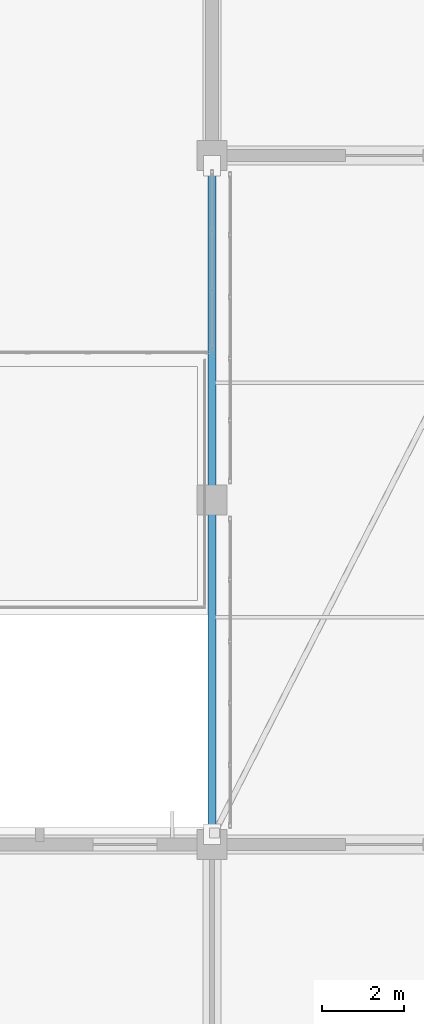
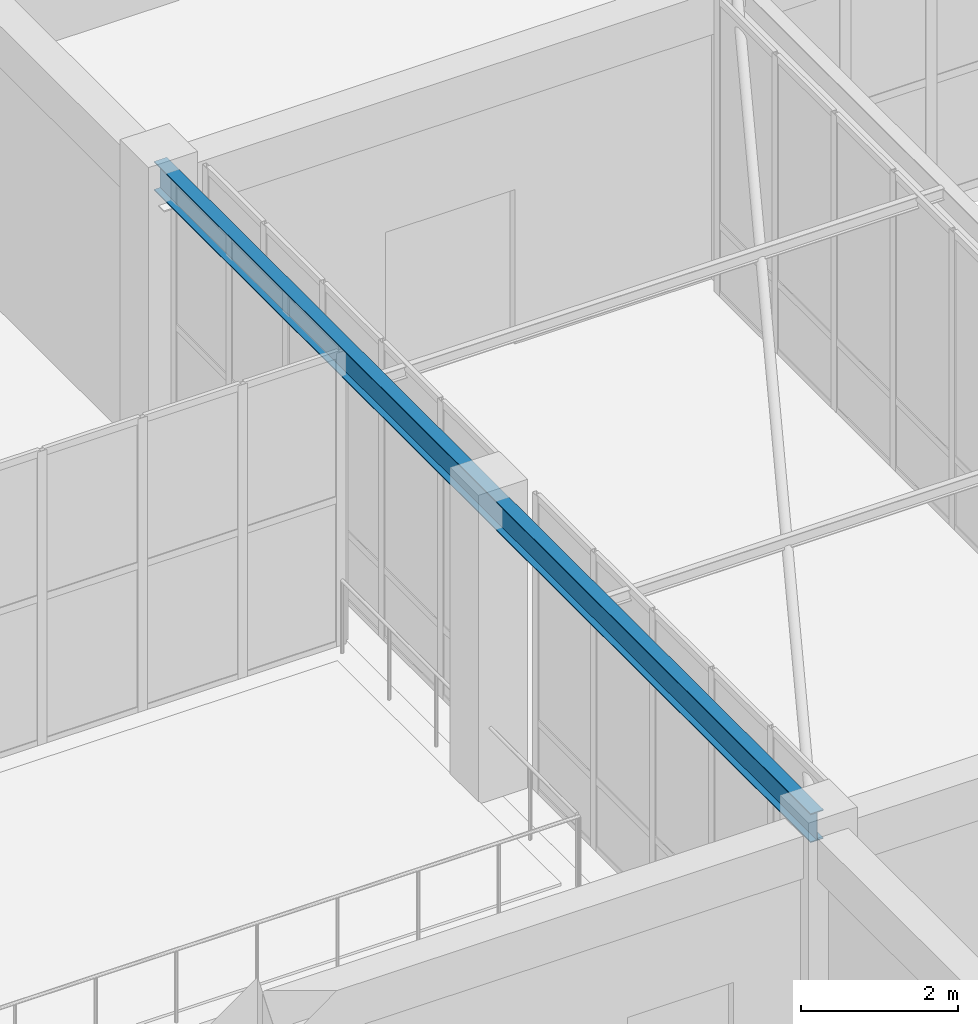
# One storey, part 39 of 158: 1 beam.
"""IFC4 building model written with IfcOpenShell, lengths in metres."""

from ifc_helpers import new_model, si_unit, direction, frame, origin, origin_2d, place, context, subcontext, project, spatial, i_section, extrude, material, material_profile, profile_set, type_object, element, save


model = new_model("IFC4")

# Units and contexts
model_context = context("Model", 3, precision=1e-05, world=origin(), true_north=direction((0.0, 1.0)))
body_context = subcontext(model_context, "Body", "Model", "MODEL_VIEW")
ifc_project = project(units=[si_unit("LENGTHUNIT", "METRE"), si_unit("AREAUNIT", "SQUARE_METRE"), si_unit("VOLUMEUNIT", "CUBIC_METRE"), si_unit("PLANEANGLEUNIT", "RADIAN"), si_unit("MASSUNIT", "GRAM", prefix="KILO")], contexts=[model_context])

# Site, building, storey
site_placement = place(None, origin())
site = spatial("IfcSite", under=ifc_project, at=site_placement, CompositionType="ELEMENT")
building_placement = place(site_placement, origin())
building = spatial("IfcBuilding", under=site, at=building_placement, Name="Trelvath General Hospital", CompositionType="ELEMENT")
storey_placement = place(building_placement, frame((0.0, 0.0, 8.10009765625)))
storey = spatial("IfcBuildingStorey", under=building, at=storey_placement, Name="L02", CompositionType="ELEMENT", Elevation=8.10009765625)

# Beam
ifc_material = material(Name="Steel S355", Category="steel")
ifc_material_profile = material_profile(ifc_material, i_section(OverallWidth=0.18994140625, OverallDepth=0.449951171875, WebThickness=0.009521484375, FlangeThickness=0.0146484375, at=origin_2d()), Name="IPE450")
ifc_profile_set = profile_set([ifc_material_profile], Name="Steel S355")
beam_type = type_object("IfcBeamType", Name="BridgeGirder IPE450", PredefinedType="BEAM", material=ifc_profile_set)
beam_placement = place(storey_placement, frame((75.60009765625, 25.239990234375, 4.385009765625), z_axis=(0.0, 1.0, 0.0), x_axis=(-1.0, 0.0, 0.0)))
element("IfcBeam", 1, at=beam_placement, inside=storey, type_object=beam_type, Name="Bridge Girder BRG-S-C W L03", PredefinedType="BEAM", context=body_context, shape_type="SweptSolid", body=[
    extrude(i_section(OverallWidth=0.18994140625, OverallDepth=0.449951171875, WebThickness=0.009521484375, FlangeThickness=0.0146484375, at=origin_2d()), origin(), (0.0, 0.0, 1.0), 16.719970703125),
])

save(model, "model.ifc")
